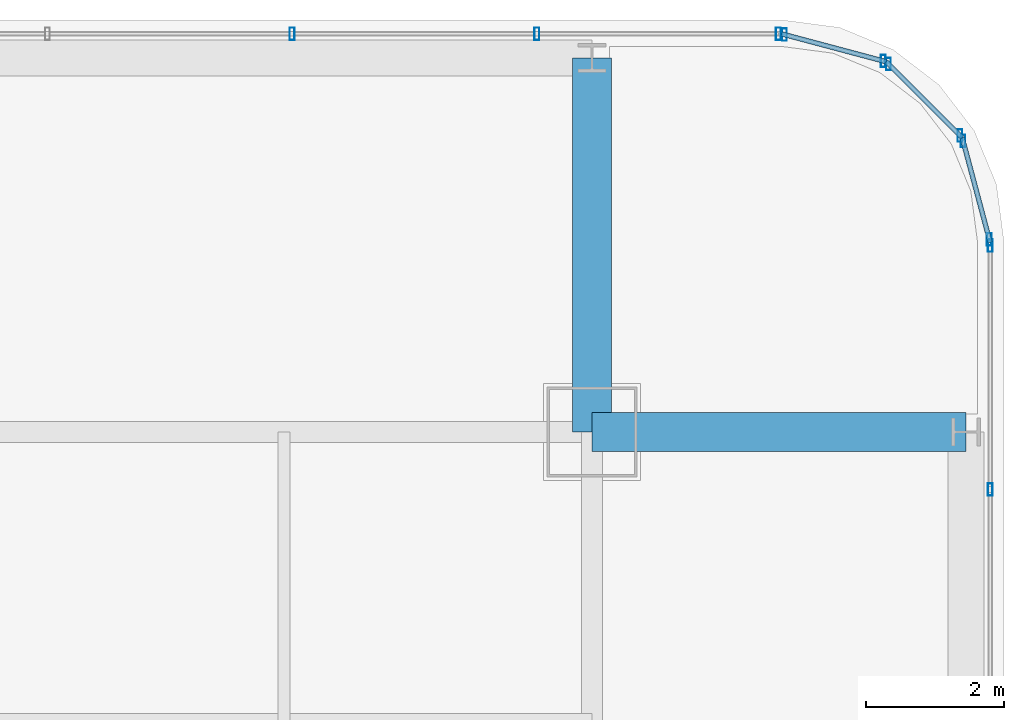
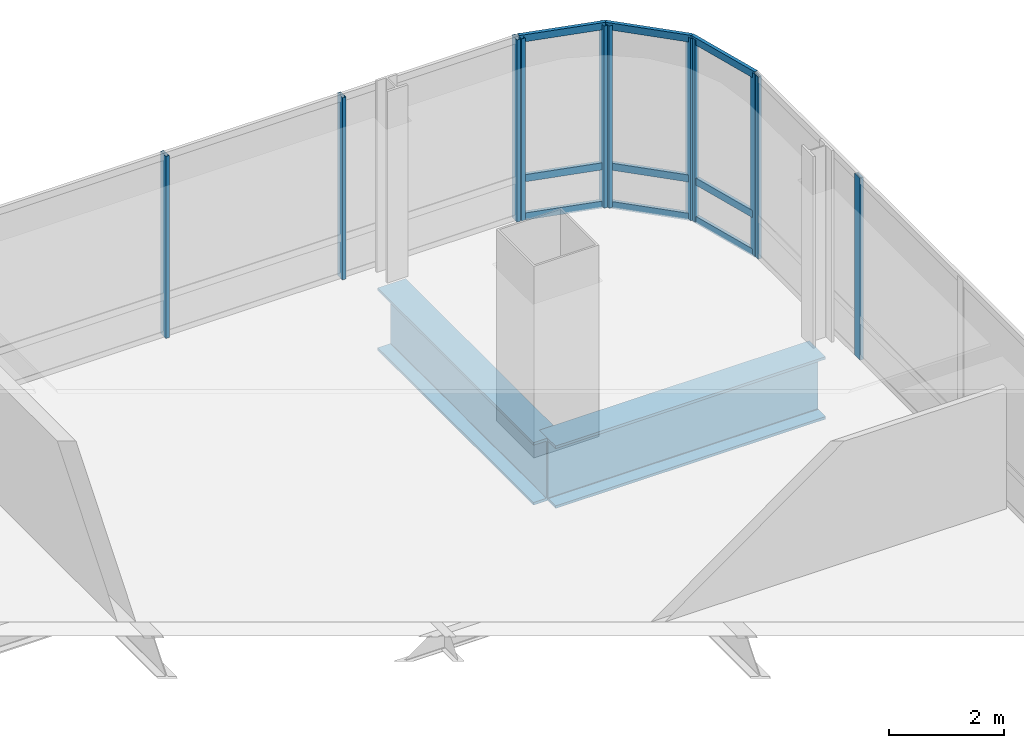
# One storey, part 30 of 40: 20 members, 2 beams, 5 elements without a shape of their own.
"""IFC4 building model written with IfcOpenShell, lengths in metres."""

from ifc_helpers import new_model, si_unit, direction, frame, origin, origin_2d, place, context, subcontext, project, spatial, hollow_rectangle, i_section, extrude, material, material_profile, profile_set, type_object, element, aggregate, save


model = new_model("IFC4")

# Units and contexts
model_context = context("Model", 3, precision=1e-05, world=origin(), true_north=direction((0.0, 1.0)))
body_context = subcontext(model_context, "Body", "Model", "MODEL_VIEW")
ifc_project = project(units=[si_unit("LENGTHUNIT", "METRE"), si_unit("AREAUNIT", "SQUARE_METRE"), si_unit("VOLUMEUNIT", "CUBIC_METRE"), si_unit("PLANEANGLEUNIT", "RADIAN"), si_unit("MASSUNIT", "GRAM", prefix="KILO")], contexts=[model_context])

# Site, building, storey
site_placement = place(None, origin())
site = spatial("IfcSite", under=ifc_project, at=site_placement, CompositionType="ELEMENT")
building_placement = place(site_placement, origin())
building = spatial("IfcBuilding", under=site, at=building_placement, Name="Punatoya Terracotta Tower", CompositionType="ELEMENT")
storey_placement = place(building_placement, frame((0.0, 0.0, 271.64990234375)))
storey = spatial("IfcBuildingStorey", under=building, at=storey_placement, Name="L64", CompositionType="ELEMENT", Elevation=271.64990234375)

# Beams
ifc_material_1 = material(Name="Steel S460", Category="steel")
ifc_material_profile_1 = material_profile(ifc_material_1, i_section(OverallWidth=0.56005859375, OverallDepth=1.320068359375, WebThickness=0.035888671875, FlangeThickness=0.054931640625, FilletRadius=0.01806640625, at=origin_2d()))
ifc_profile_set_1 = profile_set([ifc_material_profile_1], Name="Steel S460")
beam_type = type_object("IfcBeamType", Name="BM-TG-BLK", PredefinedType="BEAM", material=ifc_profile_set_1)
for number, where, z_axis, x_axis, name in (
    (1, (19.10009765625, 17.5, -0.85986328125), (1.0, 0.0, 0.0), (0.0, 1.0, 0.0), "BM-L64-CANT-E4"),
    (2, (19.10009765625, 17.5, -0.85986328125), (0.0, 1.0, 0.0), (-1.0, 0.0, 0.0), "BM-L64-CANT-N4"),
):
    element("IfcBeam", number, at=place(storey_placement, frame(where, z_axis=z_axis, x_axis=x_axis)), inside=storey, type_object=beam_type, Name=name, PredefinedType="BEAM", context=body_context, shape_type="SweptSolid", body=[
        extrude(i_section(OverallWidth=0.56005859375, OverallDepth=1.320068359375, WebThickness=0.035888671875, FlangeThickness=0.054931640625, FilletRadius=0.01806640625, at=origin_2d()), origin(), (0.0, 0.0, 1.0), 5.39990234375),
    ])

# Curtain wall, members
ifc_material_2 = material(Name="Aluminium 6063-T6 + Double Low-E Glass", Category="aluminium")
curtain_wall_type = type_object("IfcCurtainWallType", Name="CW-M3", PredefinedType="NOTDEFINED", material=ifc_material_2)
curtain_wall_1_placement = place(storey_placement, origin())
curtain_wall_1 = element("IfcCurtainWall", 3, at=curtain_wall_1_placement, inside=storey, type_object=curtain_wall_type, Name="L64 Curtain Wall CW-L64-E05-1", PredefinedType="NOTDEFINED")
ifc_material_3 = material(Name="Aluminium 6063-T6", Category="aluminium")
ifc_material_profile_2 = material_profile(ifc_material_3, hollow_rectangle(XDim=0.070068359375, YDim=0.179931640625, WallThickness=0.00390625, at=origin_2d()))
ifc_profile_set_2 = profile_set([ifc_material_profile_2], Name="Aluminium 6063-T6")
member_type_1 = type_object("IfcMemberType", Name="CW-MUL-M3", PredefinedType="MULLION", material=ifc_profile_set_2)
member_1_placement = place(storey_placement, frame((24.85009765625, 16.66943359375, 0.0), z_axis=(0.0, 0.0, 1.0), x_axis=(1.0, 0.0, 0.0)))
member_1 = element("IfcMember", 4, at=member_1_placement, type_object=member_type_1, Name="CW-L64-E05-1 Mullion 09", PredefinedType="MULLION", context=body_context, shape_type="SweptSolid", body=[
    extrude(hollow_rectangle(XDim=0.070068359375, YDim=0.179931640625, WallThickness=0.00390625, at=origin_2d()), origin(), (0.0, 0.0, 1.0), 3.85009765625),
])
member_2_placement = place(storey_placement, frame((24.85009765625, 20.19189453125, 0.0), z_axis=(0.0, 0.0, 1.0), x_axis=(1.0, 0.0, 0.0)))
member_2 = element("IfcMember", 5, at=member_2_placement, type_object=member_type_1, Name="CW-L64-E05-1 Mullion 10", PredefinedType="MULLION", context=body_context, shape_type="SweptSolid", body=[
    extrude(hollow_rectangle(XDim=0.070068359375, YDim=0.179931640625, WallThickness=0.00390625, at=origin_2d()), origin(), (0.0, 0.0, 1.0), 3.85009765625),
])
aggregate(curtain_wall_1, [member_1, member_2])

curtain_wall_2_placement = place(storey_placement, origin())
curtain_wall_2 = element("IfcCurtainWall", 6, at=curtain_wall_2_placement, inside=storey, type_object=curtain_wall_type, Name="L64 Curtain Wall CW-L64-CRN06", PredefinedType="NOTDEFINED")
member_3_placement = place(storey_placement, frame((24.83837890625, 20.280517578125, 0.0), z_axis=(0.0, 0.0, 1.0), x_axis=(1.0, 0.0, 0.0)))
member_3 = element("IfcMember", 7, at=member_3_placement, type_object=member_type_1, Name="CW-L64-CRN06 Mullion 00", PredefinedType="MULLION", context=body_context, shape_type="SweptSolid", body=[
    extrude(hollow_rectangle(XDim=0.070068359375, YDim=0.179931640625, WallThickness=0.00390625, at=origin_2d()), origin(), (0.0, 0.0, 1.0), 3.85009765625),
])
member_4_placement = place(storey_placement, frame((24.458251953125, 21.70556640625, 0.0), z_axis=(0.0, 0.0, 1.0), x_axis=(1.0, 0.0, 0.0)))
member_4 = element("IfcMember", 8, at=member_4_placement, type_object=member_type_1, Name="CW-L64-CRN06 Mullion 01", PredefinedType="MULLION", context=body_context, shape_type="SweptSolid", body=[
    extrude(hollow_rectangle(XDim=0.070068359375, YDim=0.179931640625, WallThickness=0.00390625, at=origin_2d()), origin(), (0.0, 0.0, 1.0), 3.85009765625),
])

curtain_wall_3_placement = place(storey_placement, origin())
curtain_wall_3 = element("IfcCurtainWall", 9, at=curtain_wall_3_placement, inside=storey, type_object=curtain_wall_type, Name="L64 Curtain Wall CW-L64-CRN07", PredefinedType="NOTDEFINED")
member_5_placement = place(storey_placement, frame((24.414794921875, 21.781005859375, 0.0), z_axis=(0.0, 0.0, 1.0), x_axis=(1.0, 0.0, 0.0)))
member_5 = element("IfcMember", 10, at=member_5_placement, type_object=member_type_1, Name="CW-L64-CRN07 Mullion 00", PredefinedType="MULLION", context=body_context, shape_type="SweptSolid", body=[
    extrude(hollow_rectangle(XDim=0.070068359375, YDim=0.179931640625, WallThickness=0.00390625, at=origin_2d()), origin(), (0.0, 0.0, 1.0), 3.85009765625),
])
member_6_placement = place(storey_placement, frame((23.380859375, 22.814697265625, 0.0), z_axis=(0.0, 0.0, 1.0), x_axis=(1.0, 0.0, 0.0)))
member_6 = element("IfcMember", 11, at=member_6_placement, type_object=member_type_1, Name="CW-L64-CRN07 Mullion 01", PredefinedType="MULLION", context=body_context, shape_type="SweptSolid", body=[
    extrude(hollow_rectangle(XDim=0.070068359375, YDim=0.179931640625, WallThickness=0.00390625, at=origin_2d()), origin(), (0.0, 0.0, 1.0), 3.85009765625),
])

curtain_wall_4_placement = place(storey_placement, origin())
curtain_wall_4 = element("IfcCurtainWall", 12, at=curtain_wall_4_placement, inside=storey, type_object=curtain_wall_type, Name="L64 Curtain Wall CW-L64-CRN08", PredefinedType="NOTDEFINED")
member_7_placement = place(storey_placement, frame((23.3056640625, 22.858154296875, 0.0), z_axis=(0.0, 0.0, 1.0), x_axis=(1.0, 0.0, 0.0)))
member_7 = element("IfcMember", 13, at=member_7_placement, type_object=member_type_1, Name="CW-L64-CRN08 Mullion 00", PredefinedType="MULLION", context=body_context, shape_type="SweptSolid", body=[
    extrude(hollow_rectangle(XDim=0.070068359375, YDim=0.179931640625, WallThickness=0.00390625, at=origin_2d()), origin(), (0.0, 0.0, 1.0), 3.85009765625),
])
member_8_placement = place(storey_placement, frame((21.88037109375, 23.23828125, 0.0), z_axis=(0.0, 0.0, 1.0), x_axis=(1.0, 0.0, 0.0)))
member_8 = element("IfcMember", 14, at=member_8_placement, type_object=member_type_1, Name="CW-L64-CRN08 Mullion 01", PredefinedType="MULLION", context=body_context, shape_type="SweptSolid", body=[
    extrude(hollow_rectangle(XDim=0.070068359375, YDim=0.179931640625, WallThickness=0.00390625, at=origin_2d()), origin(), (0.0, 0.0, 1.0), 3.85009765625),
])

curtain_wall_5_placement = place(storey_placement, origin())
curtain_wall_5 = element("IfcCurtainWall", 15, at=curtain_wall_5_placement, inside=storey, type_object=curtain_wall_type, Name="L64 Curtain Wall CW-L64-N09-1", PredefinedType="NOTDEFINED")
member_9_placement = place(storey_placement, frame((21.7919921875, 23.25, 0.0), z_axis=(0.0, 0.0, 1.0), x_axis=(1.0, 0.0, 0.0)))
member_9 = element("IfcMember", 16, at=member_9_placement, type_object=member_type_1, Name="CW-L64-N09-1 Mullion 00", PredefinedType="MULLION", context=body_context, shape_type="SweptSolid", body=[
    extrude(hollow_rectangle(XDim=0.070068359375, YDim=0.179931640625, WallThickness=0.00390625, at=origin_2d()), origin(), (0.0, 0.0, 1.0), 3.85009765625),
])
member_10_placement = place(storey_placement, frame((18.302978515625, 23.25, 0.0), z_axis=(0.0, 0.0, 1.0), x_axis=(1.0, 0.0, 0.0)))
member_10 = element("IfcMember", 17, at=member_10_placement, type_object=member_type_1, Name="CW-L64-N09-1 Mullion 01", PredefinedType="MULLION", context=body_context, shape_type="SweptSolid", body=[
    extrude(hollow_rectangle(XDim=0.070068359375, YDim=0.179931640625, WallThickness=0.00390625, at=origin_2d()), origin(), (0.0, 0.0, 1.0), 3.85009765625),
])
member_11_placement = place(storey_placement, frame((14.768798828125, 23.25, 0.0), z_axis=(0.0, 0.0, 1.0), x_axis=(1.0, 0.0, 0.0)))
member_11 = element("IfcMember", 18, at=member_11_placement, type_object=member_type_1, Name="CW-L64-N09-1 Mullion 02", PredefinedType="MULLION", context=body_context, shape_type="SweptSolid", body=[
    extrude(hollow_rectangle(XDim=0.070068359375, YDim=0.179931640625, WallThickness=0.00390625, at=origin_2d()), origin(), (0.0, 0.0, 1.0), 3.85009765625),
])
aggregate(curtain_wall_5, [member_9, member_10, member_11])

# Member
ifc_material_profile_3 = material_profile(ifc_material_3, hollow_rectangle(XDim=0.068115234375, YDim=0.14990234375, WallThickness=0.00390625, at=origin_2d()))
ifc_profile_set_3 = profile_set([ifc_material_profile_3], Name="Aluminium 6063-T6")
member_type_2 = type_object("IfcMemberType", Name="CW-TRN-TYP", PredefinedType="USERDEFINED", material=ifc_profile_set_3)
member_12_placement = place(storey_placement, frame((24.85009765625, 20.23681640625, 0.0400390625), z_axis=(-0.257847112249, 0.966185730957, 0.0), x_axis=(-0.966185730957, -0.257847112249, 0.0)))
member_12 = element("IfcMember", 19, at=member_12_placement, type_object=member_type_2, Name="CW-L64-CRN06 Transom 1", ObjectType="TRANSOM", PredefinedType="USERDEFINED", context=body_context, shape_type="SweptSolid", body=[
    extrude(hollow_rectangle(XDim=0.068115234375, YDim=0.14990234375, WallThickness=0.00390625, at=origin_2d()), origin(), (0.0, 0.0, 1.0), 1.565185546875),
])

member_13_placement = place(storey_placement, frame((24.85009765625, 20.23681640625, 0.85009765625), z_axis=(-0.257847112249, 0.966185730957, 0.0), x_axis=(-0.966185730957, -0.257847112249, 0.0)))
member_13 = element("IfcMember", 20, at=member_13_placement, type_object=member_type_2, Name="CW-L64-CRN06 Transom 2", ObjectType="TRANSOM", PredefinedType="USERDEFINED", context=body_context, shape_type="SweptSolid", body=[
    extrude(hollow_rectangle(XDim=0.068115234375, YDim=0.14990234375, WallThickness=0.00390625, at=origin_2d()), origin(), (0.0, 0.0, 1.0), 1.565185546875),
])

member_14_placement = place(storey_placement, frame((24.85009765625, 20.23681640625, 3.81005859375), z_axis=(-0.257847112249, 0.966185730957, 0.0), x_axis=(-0.966185730957, -0.257847112249, 0.0)))
member_14 = element("IfcMember", 21, at=member_14_placement, type_object=member_type_2, Name="CW-L64-CRN06 Transom 3", ObjectType="TRANSOM", PredefinedType="USERDEFINED", context=body_context, shape_type="SweptSolid", body=[
    extrude(hollow_rectangle(XDim=0.068115234375, YDim=0.14990234375, WallThickness=0.00390625, at=origin_2d()), origin(), (0.0, 0.0, 1.0), 1.565185546875),
])

aggregate(curtain_wall_2, [member_3, member_4, member_12, member_13, member_14])

member_15_placement = place(storey_placement, frame((24.446533203125, 21.7490234375, 0.0400390625), z_axis=(-0.707028130747, 0.707185422879, 0.0), x_axis=(-0.707185422879, -0.707028130747, 0.0)))
member_15 = element("IfcMember", 22, at=member_15_placement, type_object=member_type_2, Name="CW-L64-CRN07 Transom 1", ObjectType="TRANSOM", PredefinedType="USERDEFINED", context=body_context, shape_type="SweptSolid", body=[
    extrude(hollow_rectangle(XDim=0.068115234375, YDim=0.14990234375, WallThickness=0.00390625, at=origin_2d()), origin(), (0.0, 0.0, 1.0), 1.55224609375),
])

member_16_placement = place(storey_placement, frame((24.446533203125, 21.7490234375, 0.85009765625), z_axis=(-0.707028130747, 0.707185422879, 0.0), x_axis=(-0.707185422879, -0.707028130747, 0.0)))
member_16 = element("IfcMember", 23, at=member_16_placement, type_object=member_type_2, Name="CW-L64-CRN07 Transom 2", ObjectType="TRANSOM", PredefinedType="USERDEFINED", context=body_context, shape_type="SweptSolid", body=[
    extrude(hollow_rectangle(XDim=0.068115234375, YDim=0.14990234375, WallThickness=0.00390625, at=origin_2d()), origin(), (0.0, 0.0, 1.0), 1.55224609375),
])

member_17_placement = place(storey_placement, frame((24.446533203125, 21.7490234375, 3.81005859375), z_axis=(-0.707028130747, 0.707185422879, 0.0), x_axis=(-0.707185422879, -0.707028130747, 0.0)))
member_17 = element("IfcMember", 24, at=member_17_placement, type_object=member_type_2, Name="CW-L64-CRN07 Transom 3", ObjectType="TRANSOM", PredefinedType="USERDEFINED", context=body_context, shape_type="SweptSolid", body=[
    extrude(hollow_rectangle(XDim=0.068115234375, YDim=0.14990234375, WallThickness=0.00390625, at=origin_2d()), origin(), (0.0, 0.0, 1.0), 1.55224609375),
])

aggregate(curtain_wall_3, [member_5, member_6, member_15, member_16, member_17])

member_18_placement = place(storey_placement, frame((23.34912109375, 22.8466796875, 0.0400390625), z_axis=(-0.966224582397, 0.257701486942, 0.0), x_axis=(-0.257701486942, -0.966224582397, 0.0)))
member_18 = element("IfcMember", 25, at=member_18_placement, type_object=member_type_2, Name="CW-L64-CRN08 Transom 1", ObjectType="TRANSOM", PredefinedType="USERDEFINED", context=body_context, shape_type="SweptSolid", body=[
    extrude(hollow_rectangle(XDim=0.068115234375, YDim=0.14990234375, WallThickness=0.00390625, at=origin_2d()), origin(), (0.0, 0.0, 1.0), 1.565185546875),
])

member_19_placement = place(storey_placement, frame((23.34912109375, 22.8466796875, 0.85009765625), z_axis=(-0.966224582397, 0.257701486942, 0.0), x_axis=(-0.257701486942, -0.966224582397, 0.0)))
member_19 = element("IfcMember", 26, at=member_19_placement, type_object=member_type_2, Name="CW-L64-CRN08 Transom 2", ObjectType="TRANSOM", PredefinedType="USERDEFINED", context=body_context, shape_type="SweptSolid", body=[
    extrude(hollow_rectangle(XDim=0.068115234375, YDim=0.14990234375, WallThickness=0.00390625, at=origin_2d()), origin(), (0.0, 0.0, 1.0), 1.565185546875),
])

member_20_placement = place(storey_placement, frame((23.34912109375, 22.8466796875, 3.81005859375), z_axis=(-0.966224582397, 0.257701486942, 0.0), x_axis=(-0.257701486942, -0.966224582397, 0.0)))
member_20 = element("IfcMember", 27, at=member_20_placement, type_object=member_type_2, Name="CW-L64-CRN08 Transom 3", ObjectType="TRANSOM", PredefinedType="USERDEFINED", context=body_context, shape_type="SweptSolid", body=[
    extrude(hollow_rectangle(XDim=0.068115234375, YDim=0.14990234375, WallThickness=0.00390625, at=origin_2d()), origin(), (0.0, 0.0, 1.0), 1.565185546875),
])

aggregate(curtain_wall_4, [member_7, member_8, member_18, member_19, member_20])

save(model, "model.ifc")
